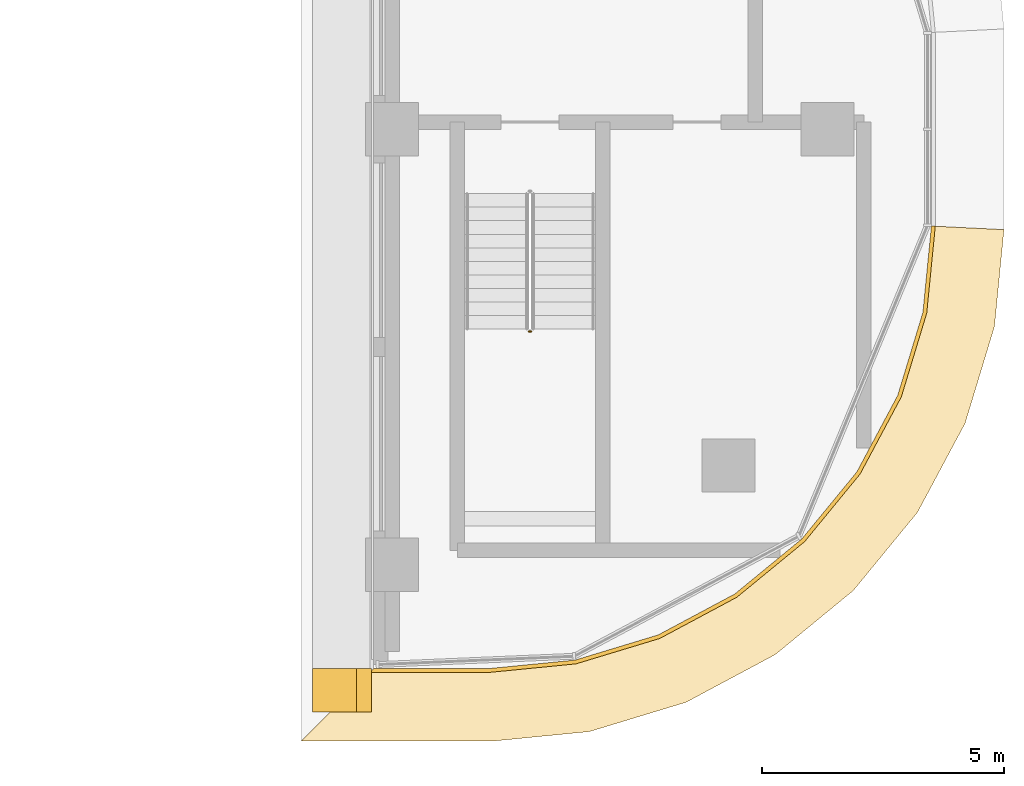
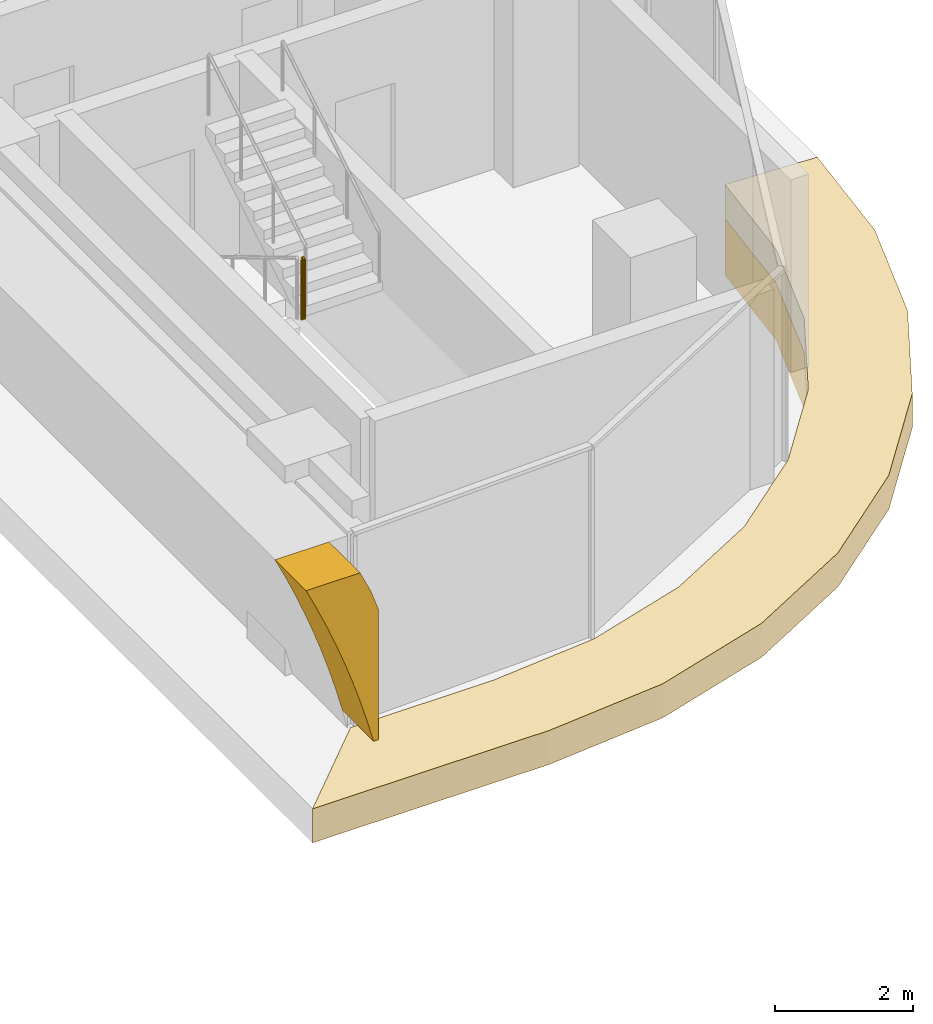
# One storey, part 21 of 26: 3 coverings, 1 railing.
"""IFC4 building model written with IfcOpenShell, lengths in metres."""

from ifc_helpers import new_model, si_unit, direction, frame, origin, origin_2d, place, context, subcontext, project, spatial, polyline, circle, outline, extrude, material, layer, layer_set, type_object, element, save


model = new_model("IFC4")

# Units and contexts
model_context = context("Model", 3, precision=1e-05, world=origin(), true_north=direction((0.0, 1.0)))
body_context = subcontext(model_context, "Body", "Model", "MODEL_VIEW")
ifc_project = project(units=[si_unit("LENGTHUNIT", "METRE"), si_unit("AREAUNIT", "SQUARE_METRE"), si_unit("VOLUMEUNIT", "CUBIC_METRE"), si_unit("PLANEANGLEUNIT", "RADIAN"), si_unit("MASSUNIT", "GRAM", prefix="KILO")], contexts=[model_context])

# Site, building, storey
site_placement = place(None, origin())
site = spatial("IfcSite", under=ifc_project, at=site_placement, CompositionType="ELEMENT")
building_placement = place(site_placement, origin())
building = spatial("IfcBuilding", under=site, at=building_placement, Name="Ogive Portal Towers", CompositionType="ELEMENT")
storey_placement = place(building_placement, frame((0.0, 0.0, 171.800048828125)))
storey = spatial("IfcBuildingStorey", under=building, at=storey_placement, Name="L42", CompositionType="ELEMENT", Elevation=171.800048828125)

# Railing
ifc_material_1 = material(Name="Stainless steel balustrade", Category="steel")
railing_type = type_object("IfcRailingType", Name="INT-GUARD", PredefinedType="GUARDRAIL", material=ifc_material_1)
railing_placement = place(storey_placement, frame((88.330078125, 26.320068359375, 1.849853515625)))
element("IfcRailing", 1, at=railing_placement, inside=storey, type_object=railing_type, Name="L42 ST-A4 stair guard 2", PredefinedType="GUARDRAIL", context=body_context, shape_type="SweptSolid", body=[
    extrude(circle(Radius=0.02392578125, at=origin_2d()), frame((0.0, 0.0, 1.076171875), z_axis=(1.0, 0.0, 0.0), x_axis=(0.0, 1.0, 0.0)), (0.0, 0.0, 1.0), 0.0400390625),
    extrude(circle(Radius=0.02099609375, at=origin_2d()), origin(), (0.0, 0.0, 1.0), 1.052001953125),
    extrude(circle(Radius=0.02099609375, at=origin_2d()), frame((0.0400390625, 0.0, 0.0)), (0.0, 0.0, 1.0), 1.052001953125),
])

# Coverings
ifc_material_2 = material(Name="Limestone cladding on lightweight block wall", Category="masonry")
ifc_layer_1 = layer(ifc_material_2, 0.60009765625)
ifc_layer_set_1 = layer_set([ifc_layer_1], Name="PORTAL ARCHIVOLT STONE")
covering_type_1 = type_object("IfcCoveringType", Name="PORTAL ARCHIVOLT STONE", PredefinedType="CLADDING", material=ifc_layer_set_1)
covering_1_placement = place(storey_placement, frame((84.98486328125, 19.35498046875, 0.349853515625), z_axis=(0.0, 1.0, 0.0), x_axis=(-0.261967073104, 0.0, 0.965076811766)))
element("IfcCovering", 2, at=covering_1_placement, inside=storey, type_object=covering_type_1, Name="PORTAL ARCHIVOLT E L42", PredefinedType="CLADDING", context=body_context, shape_type="SweptSolid", body=[
    extrude(outline(polyline([(0.0, 0.0), (0.39514746557014485, 1.3877787807814457e-17), (0.7929171601435312, -0.00966019269590368), (1.1932013828740755, -0.029515763804663475), (1.596471362673773, -0.059438799716365065), (2.002619398696541, -0.099964486147961), (2.4114098764863807, -0.15115677990440834), (2.8232702809141617, -0.21365856754874302), (3.2384362264358812, -0.28740589227600766), (3.002691443363978, 0.5810689925313336), (2.5874615410373014, 0.6550519317145959), (2.185386527767958, 0.6815047075912899), (1.817592361955625, 0.581668135053243), (1.4495625816872941, 0.481767605710239), (1.0815328014189636, 0.381867076367235), (0.7137386356066304, 0.28203050382918815), (0.34570885533829976, 0.18212997448618415), (-0.02232092493003098, 0.08222944514318016), (0.0, 0.0)])), origin(), (0.0, 0.0, -1.0), 0.89990234375),
])
ifc_layer_2 = layer(ifc_material_2, 0.080078125)
ifc_layer_set_2 = layer_set([ifc_layer_2], Name="STONE SPANDREL 80")
covering_type_2 = type_object("IfcCoveringType", Name="STONE SPANDREL 80", PredefinedType="CLADDING", material=ifc_layer_set_2)
covering_2_placement = place(storey_placement, frame((0.0, 0.0, -1.60009765625)))
element("IfcCovering", 3, at=covering_2_placement, inside=storey, type_object=covering_type_2, Name="Stone spandrel A2-F02", PredefinedType="CLADDING", context=body_context, shape_type="SweptSolid", body=[
    extrude(outline(polyline([(85.1201171875, 19.35498046875), (87.5, 19.35498046875), (89.2841796875, 19.53076171875), (90.999755859375, 20.051025390625), (92.580810546875, 20.896240234375), (93.966552734375, 22.033447265625), (95.103759765625, 23.419189453125), (95.948974609375, 25.000244140625), (96.46923828125, 26.7158203125), (96.64501953125, 28.5), (96.72509765625, 28.49609375), (96.548095703125, 26.7001953125), (96.023193359375, 24.969482421875), (95.170654296875, 23.374755859375), (94.0234375, 21.9765625), (92.625244140625, 20.829345703125), (91.030517578125, 19.976806640625), (89.2998046875, 19.451904296875), (87.50390625, 19.27490234375), (85.0400390625, 19.27490234375), (85.1201171875, 19.35498046875)])), origin(), (0.0, 0.0, 1.0), 1.0),
])
ifc_layer_3 = layer(ifc_material_2, 0.60009765625)
ifc_layer_set_3 = layer_set([ifc_layer_3], Name="SUNSHADE LIP 600")
covering_type_3 = type_object("IfcCoveringType", Name="SUNSHADE LIP 600", PredefinedType="CLADDING", material=ifc_layer_set_3)
covering_3_placement = place(storey_placement, frame((0.0, 0.0, -0.60009765625)))
element("IfcCovering", 4, at=covering_3_placement, inside=storey, type_object=covering_type_3, Name="Sunshade lip A2-F02", PredefinedType="CLADDING", context=body_context, shape_type="SweptSolid", body=[
    extrude(outline(polyline([(85.1201171875, 19.35498046875), (87.5, 19.35498046875), (89.2841796875, 19.53076171875), (90.999755859375, 20.051025390625), (92.580810546875, 20.896240234375), (93.966552734375, 22.033447265625), (95.103759765625, 23.419189453125), (95.948974609375, 25.000244140625), (96.46923828125, 26.7158203125), (96.64501953125, 28.5), (98.14501953125, 28.42626953125), (97.947509765625, 26.421875), (97.34130859375, 24.423583984375), (96.35693359375, 22.58203125), (95.0322265625, 20.9677734375), (93.41796875, 19.64306640625), (91.576416015625, 18.65869140625), (89.578125, 18.052490234375), (87.57373046875, 17.85498046875), (83.6201171875, 17.85498046875), (85.1201171875, 19.35498046875)])), origin(), (0.0, 0.0, 1.0), 0.60009765625),
])

save(model, "model.ifc")
